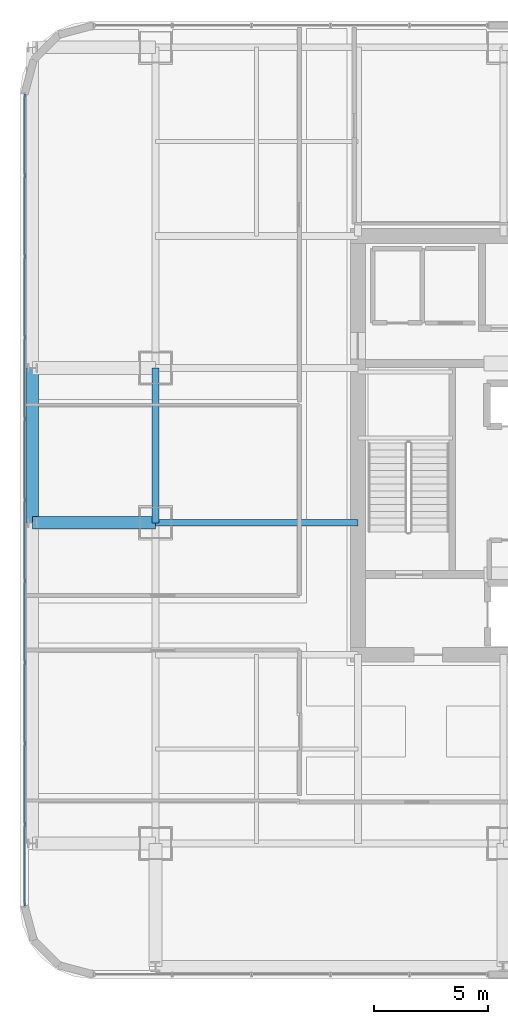
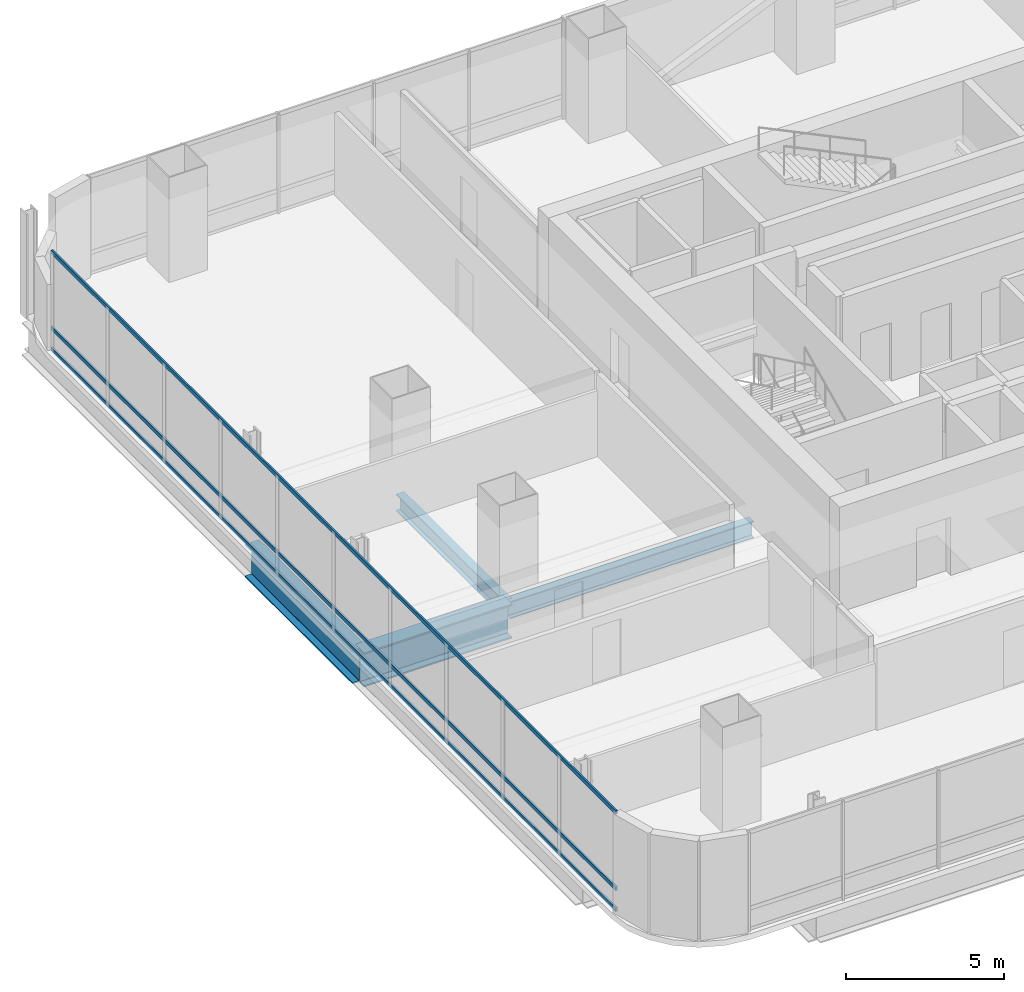
# One storey, part 9 of 38: 4 beams, 3 members, 1 element without a shape of its own.
"""IFC4 building model written with IfcOpenShell, lengths in metres."""

import ifcopenshell
import ifcopenshell.guid

model = None  # the IFC model being written
_history = None  # IfcOwnerHistory: only IFC2X3 demands one
_inside = {}  # id of a spatial element -> (the spatial element, [elements in it])
_under = {}  # id of a project, library or spatial element -> (it, [spatial elements below it])
_declared = {}  # id of a project -> (the project, [libraries it declares])
_typed = {}  # id of a type object -> (the type object, [elements of that type])
_made_of = {}  # id of a material, layer set ... -> (it, [elements and type objects made of it])


def new_model(schema):
    """Start an empty IFC model of exactly this schema.

    Asked for "IFC4X3", IfcOpenShell would pick the latest addendum, in which some entities
    have other attributes; the version numbers below select the first issue.
    IFC2X3 requires an IfcOwnerHistory on every rooted entity: one is made here for all.
    """
    global model, _history
    if schema == "IFC4X3":
        model = ifcopenshell.file(schema_version=(4, 3, 0, 0))
    else:
        model = ifcopenshell.file(schema=schema)
    _inside.clear()
    _under.clear()
    _declared.clear()
    _typed.clear()
    _made_of.clear()
    _history = None
    if model.schema == "IFC2X3":
        org = make("IfcOrganization", Name="unknown")
        user = make(
            "IfcPersonAndOrganization",
            ThePerson=make("IfcPerson", FamilyName="unknown"),
            TheOrganization=org,
        )
        app = make(
            "IfcApplication",
            ApplicationDeveloper=org,
            Version="unknown",
            ApplicationFullName="unknown",
            ApplicationIdentifier="unknown",
        )
        _history = make(
            "IfcOwnerHistory",
            OwningUser=user,
            OwningApplication=app,
            ChangeAction="ADDED",
            CreationDate=0,
        )
    return model


def make(cls, **values):
    """One entity of the class cls with the attributes given. An attribute that is None is left unset."""
    return model.create_entity(
        cls, **{name: value for name, value in values.items() if value is not None}
    )


def rooted(cls, **values):
    """An entity with a GlobalId (a new one), such as an element, a storey or a relation."""
    return make(cls, GlobalId=ifcopenshell.guid.new(), OwnerHistory=_history, **values)


def si_unit(unit_type, name, prefix=None):
    """IfcSIUnit, for example si_unit("LENGTHUNIT", "METRE", prefix="MILLI")."""
    return make("IfcSIUnit", UnitType=unit_type, Prefix=prefix, Name=name)


def assignment(units):
    """IfcUnitAssignment: the units of a project."""
    return None if units is None else make("IfcUnitAssignment", Units=units)


def point(xyz):
    """IfcCartesianPoint."""
    return None if xyz is None else make("IfcCartesianPoint", Coordinates=xyz)


def direction(xyz):
    """IfcDirection."""
    return None if xyz is None else make("IfcDirection", DirectionRatios=xyz)


def frame(location, z_axis=None, x_axis=None):
    """IfcAxis2Placement3D, a coordinate frame: its origin and axes. An axis left out is left unset."""
    return make(
        "IfcAxis2Placement3D",
        Location=point(location),
        Axis=direction(z_axis),
        RefDirection=direction(x_axis),
    )


def frame_2d(location, x_axis=None):
    """IfcAxis2Placement2D, a coordinate frame in the plane: its origin and x axis."""
    return make(
        "IfcAxis2Placement2D", Location=point(location), RefDirection=direction(x_axis)
    )


def origin():
    """The frame at (0, 0, 0) with its axes left unset."""
    return frame((0.0, 0.0, 0.0))


def origin_2d():
    """The frame at (0, 0) in the plane with its x axis left unset."""
    return frame_2d((0.0, 0.0))


def place(relative_to, where):
    """IfcLocalPlacement: puts the frame where relative to a parent placement (None: the world)."""
    return make(
        "IfcLocalPlacement", PlacementRelTo=relative_to, RelativePlacement=where
    )


def context(
    kind, dimensions, precision=None, world=None, true_north=None, identifier=None
):
    """IfcGeometricRepresentationContext, for example the 3D "Model" context."""
    return make(
        "IfcGeometricRepresentationContext",
        ContextIdentifier=identifier,
        ContextType=kind,
        CoordinateSpaceDimension=dimensions,
        Precision=precision,
        WorldCoordinateSystem=world,
        TrueNorth=true_north,
    )


def subcontext(parent, identifier, kind, view, scale=None):
    """IfcGeometricRepresentationSubContext, for example "Body" below "Model"."""
    return make(
        "IfcGeometricRepresentationSubContext",
        ContextIdentifier=identifier,
        ContextType=kind,
        ParentContext=parent,
        TargetScale=scale,
        TargetView=view,
    )


def project(units=None, contexts=None):
    """IfcProject with its units and contexts."""
    return rooted(
        "IfcProject",
        Name="project",
        RepresentationContexts=contexts,
        UnitsInContext=assignment(units),
    )


def spatial(cls, under=None, at=None, **own):
    """A site, building, storey or space (cls), placed at a placement, below another one or the project."""
    s = rooted(cls, ObjectPlacement=at, **own)
    if under is not None:
        _under.setdefault(under.id(), (under, []))[1].append(s)
    return s


def profile(cls, at=None, kind="AREA", **sizes):
    """A parametric profile (cls). Its sizes go by their IFC names, for example OverallWidth=200.0."""
    return make(cls, ProfileType=kind, Position=at, **sizes)


def hollow_rectangle(**sizes):
    """IfcRectangleHollowProfileDef."""
    return profile("IfcRectangleHollowProfileDef", **sizes)


def i_section(**sizes):
    """IfcIShapeProfileDef."""
    return profile("IfcIShapeProfileDef", **sizes)


def extrude(swept, where, along, depth):
    """IfcExtrudedAreaSolid: the profile swept, set in the frame where, extruded along a direction by depth."""
    return make(
        "IfcExtrudedAreaSolid",
        SweptArea=swept,
        Position=where,
        ExtrudedDirection=direction(along),
        Depth=depth,
    )


def shape(context_of_items, identifier, shape_type, items):
    """IfcShapeRepresentation: the items that make up one representation, for example the "Body"."""
    return make(
        "IfcShapeRepresentation",
        ContextOfItems=context_of_items,
        RepresentationIdentifier=identifier,
        RepresentationType=shape_type,
        Items=items,
    )


def material(Name=None, Category=None):
    """IfcMaterial."""
    return make("IfcMaterial", Name=Name, Category=Category)


def material_profile(
    of_material, cross_section, Name=None, Category=None, Priority=None
):
    """IfcMaterialProfile: a cross section and its material."""
    return make(
        "IfcMaterialProfile",
        Name=Name,
        Material=of_material,
        Profile=cross_section,
        Priority=Priority,
        Category=Category,
    )


def profile_set(profiles, Name=None, composite=None):
    """IfcMaterialProfileSet."""
    return make(
        "IfcMaterialProfileSet",
        Name=Name,
        MaterialProfiles=profiles,
        CompositeProfile=composite,
    )


def made_of(thing, what):
    """Note that an element or type object is made of a material, layer set ...; save() writes the relation."""
    if what is not None:
        _made_of.setdefault(what.id(), (what, []))[1].append(thing)
    return thing


def type_object(cls, material=None, **own):
    """A type object (cls), such as IfcWallType, which elements share."""
    return made_of(rooted(cls, **own), material)


def element(
    cls,
    number,
    at=None,
    inside=None,
    cuts=None,
    type_object=None,
    material=None,
    context=None,
    identifier="Body",
    shape_type=None,
    held_by="IfcProductDefinitionShape",
    body=None,
    shapes=None,
    **own,
):
    """One element of the class cls, such as IfcWall. Its Tag is "e" and its number.

    at: its placement. inside: the storey or other place that contains it. cuts: it is an
    opening in that element (IfcRelVoidsElement). A single representation is given by context,
    identifier, shape_type and body (its items); several are given by shapes. held_by: the class
    of the entity that holds the representations. save() writes the other relations.
    """
    e = rooted(cls, Tag="e%d" % number, ObjectPlacement=at, **own)
    if body is not None:
        shapes = [shape(context, identifier, shape_type, body)]
    if shapes is not None:
        e.Representation = make(held_by, Representations=shapes)
    if inside is not None:
        _inside.setdefault(inside.id(), (inside, []))[1].append(e)
    if cuts is not None:
        rooted(
            "IfcRelVoidsElement", RelatingBuildingElement=cuts, RelatedOpeningElement=e
        )
    if type_object is not None:
        _typed.setdefault(type_object.id(), (type_object, []))[1].append(e)
    return made_of(e, material)


def aggregate(whole, parts):
    """IfcRelAggregates: a whole, such as a stair, and the parts it consists of."""
    return rooted("IfcRelAggregates", RelatingObject=whole, RelatedObjects=parts)


def save(model, path):
    """Write the relations noted so far, then the file.

    IfcRelAggregates (storeys below a building ...), IfcRelContainedInSpatialStructure (elements
    in a storey), IfcRelDefinesByType, IfcRelAssociatesMaterial and IfcRelDeclares: one each for
    every whole, place, type object, material and project.
    """
    for whole, parts in _under.values():
        aggregate(whole, parts)
    for where, things in _inside.values():
        rooted(
            "IfcRelContainedInSpatialStructure",
            RelatedElements=things,
            RelatingStructure=where,
        )
    for kind, things in _typed.values():
        rooted("IfcRelDefinesByType", RelatedObjects=things, RelatingType=kind)
    for what, things in _made_of.values():
        rooted("IfcRelAssociatesMaterial", RelatedObjects=things, RelatingMaterial=what)
    for by, libraries in _declared.values():
        rooted("IfcRelDeclares", RelatingContext=by, RelatedDefinitions=libraries)
    model.write(path)


model = new_model("IFC4")

# Units and contexts
model_context = context("Model", 3, precision=1e-05, world=origin(), true_north=direction((0.0, 1.0)))
body_context = subcontext(model_context, "Body", "Model", "MODEL_VIEW")
ifc_project = project(units=[si_unit("LENGTHUNIT", "METRE"), si_unit("AREAUNIT", "SQUARE_METRE"), si_unit("VOLUMEUNIT", "CUBIC_METRE"), si_unit("PLANEANGLEUNIT", "RADIAN"), si_unit("MASSUNIT", "GRAM", prefix="KILO")], contexts=[model_context])

# Site, building, storey
site_placement = place(None, origin())
site = spatial("IfcSite", under=ifc_project, at=site_placement, CompositionType="ELEMENT")
building_placement = place(site_placement, origin())
building = spatial("IfcBuilding", under=site, at=building_placement, Name="Punatoya Terracotta Tower", CompositionType="ELEMENT")
storey_placement = place(building_placement, frame((0.0, 0.0, 188.39990234375)))
storey = spatial("IfcBuildingStorey", under=building, at=storey_placement, Name="L44", CompositionType="ELEMENT", Elevation=188.39990234375)

# Beams
ifc_material_1 = material(Name="Steel S355", Category="steel")
ifc_material_profile_1 = material_profile(ifc_material_1, i_section(OverallWidth=0.300048828125, OverallDepth=0.64990234375, WebThickness=0.01611328125, FlangeThickness=0.031005859375, FilletRadius=0.01806640625, at=origin_2d()))
ifc_profile_set_1 = profile_set([ifc_material_profile_1], Name="Steel S355")
beam_type_1 = type_object("IfcBeamType", Name="BM-PRI-650", PredefinedType="BEAM", material=ifc_profile_set_1)
beam_1_placement = place(storey_placement, frame((-19.10009765625, -3.39990234375, -0.544921875), z_axis=(0.0, 1.0, 0.0), x_axis=(-1.0, 0.0, 0.0)))
element("IfcBeam", 1, at=beam_1_placement, inside=storey, type_object=beam_type_1, Name="BM-L44-RG-W2", PredefinedType="BEAM", context=body_context, shape_type="SweptSolid", body=[
    extrude(i_section(OverallWidth=0.300048828125, OverallDepth=0.64990234375, WebThickness=0.01611328125, FlangeThickness=0.031005859375, FilletRadius=0.01806640625, at=origin_2d()), origin(), (0.0, 0.0, 1.0), 6.7998046875),
])
beam_2_placement = place(storey_placement, frame((-19.10009765625, -3.39990234375, -0.544921875), z_axis=(1.0, 0.0, 0.0), x_axis=(0.0, 1.0, 0.0)))
element("IfcBeam", 2, at=beam_2_placement, inside=storey, type_object=beam_type_1, Name="BM-L44-PR-WD", PredefinedType="BEAM", context=body_context, shape_type="SweptSolid", body=[
    extrude(i_section(OverallWidth=0.300048828125, OverallDepth=0.64990234375, WebThickness=0.01611328125, FlangeThickness=0.031005859375, FilletRadius=0.01806640625, at=origin_2d()), origin(), (0.0, 0.0, 1.0), 8.900146484375),
])
ifc_material_2 = material(Name="Steel S460", Category="steel")
ifc_material_profile_2 = material_profile(ifc_material_2, i_section(OverallWidth=0.56005859375, OverallDepth=1.320068359375, WebThickness=0.035888671875, FlangeThickness=0.054931640625, FilletRadius=0.01806640625, at=origin_2d()))
ifc_profile_set_2 = profile_set([ifc_material_profile_2], Name="Steel S460")
beam_type_2 = type_object("IfcBeamType", Name="BM-TG-BLK", PredefinedType="BEAM", material=ifc_profile_set_2)
beam_3_placement = place(storey_placement, frame((-24.5, -3.39990234375, -0.8798828125), z_axis=(1.0, 0.0, 0.0), x_axis=(0.0, 1.0, 0.0)))
element("IfcBeam", 3, at=beam_3_placement, inside=storey, type_object=beam_type_2, Name="BM-L44-CANT-W2", PredefinedType="BEAM", context=body_context, shape_type="SweptSolid", body=[
    extrude(i_section(OverallWidth=0.56005859375, OverallDepth=1.320068359375, WebThickness=0.035888671875, FlangeThickness=0.054931640625, FilletRadius=0.01806640625, at=origin_2d()), origin(), (0.0, 0.0, 1.0), 5.39990234375),
])
ifc_material_profile_3 = material_profile(ifc_material_2, i_section(OverallWidth=0.52001953125, OverallDepth=1.280029296875, WebThickness=0.031982421875, FlangeThickness=0.050048828125, FilletRadius=0.01806640625, at=origin_2d()))
ifc_profile_set_3 = profile_set([ifc_material_profile_3], Name="Steel S460")
beam_type_3 = type_object("IfcBeamType", Name="BM-TG-NCK", PredefinedType="BEAM", material=ifc_profile_set_3)
beam_4_placement = place(storey_placement, frame((-24.5, -3.39990234375, -0.85986328125), z_axis=(0.0, 1.0, 0.0), x_axis=(-1.0, 0.0, 0.0)))
element("IfcBeam", 4, at=beam_4_placement, inside=storey, type_object=beam_type_3, Name="BM-L44-PER-W2", PredefinedType="BEAM", context=body_context, shape_type="SweptSolid", body=[
    extrude(i_section(OverallWidth=0.52001953125, OverallDepth=1.280029296875, WebThickness=0.031982421875, FlangeThickness=0.050048828125, FilletRadius=0.01806640625, at=origin_2d()), origin(), (0.0, 0.0, 1.0), 6.7998046875),
])

# Curtain wall, members
ifc_material_3 = material(Name="Aluminium 6063-T6 + Double Low-E Glass", Category="aluminium")
curtain_wall_type = type_object("IfcCurtainWallType", Name="CW-M2", PredefinedType="NOTDEFINED", material=ifc_material_3)
curtain_wall_placement = place(storey_placement, origin())
curtain_wall = element("IfcCurtainWall", 5, at=curtain_wall_placement, inside=storey, type_object=curtain_wall_type, Name="L44 Curtain Wall CW-L44-W13-1", PredefinedType="NOTDEFINED")
ifc_material_4 = material(Name="Aluminium 6063-T6", Category="aluminium")
ifc_material_profile_4 = material_profile(ifc_material_4, hollow_rectangle(XDim=0.068115234375, YDim=0.14990234375, WallThickness=0.00390625, at=origin_2d()))
ifc_profile_set_4 = profile_set([ifc_material_profile_4], Name="Aluminium 6063-T6")
member_type = type_object("IfcMemberType", Name="CW-TRN-TYP", PredefinedType="USERDEFINED", material=ifc_profile_set_4)
member_1_placement = place(storey_placement, frame((-24.85009765625, 15.43701171875, 0.0400390625), z_axis=(0.0, -1.0, 0.0), x_axis=(1.0, 0.0, 0.0)))
member_1 = element("IfcMember", 6, at=member_1_placement, type_object=member_type, Name="CW-L44-W13-1 Transom 1", ObjectType="TRANSOM", PredefinedType="USERDEFINED", context=body_context, shape_type="SweptSolid", body=[
    extrude(hollow_rectangle(XDim=0.068115234375, YDim=0.14990234375, WallThickness=0.00390625, at=origin_2d()), origin(), (0.0, 0.0, 1.0), 35.673828125),
])
member_2_placement = place(storey_placement, frame((-24.85009765625, 15.43701171875, 0.85009765625), z_axis=(0.0, -1.0, 0.0), x_axis=(1.0, 0.0, 0.0)))
member_2 = element("IfcMember", 7, at=member_2_placement, type_object=member_type, Name="CW-L44-W13-1 Transom 2", ObjectType="TRANSOM", PredefinedType="USERDEFINED", context=body_context, shape_type="SweptSolid", body=[
    extrude(hollow_rectangle(XDim=0.068115234375, YDim=0.14990234375, WallThickness=0.00390625, at=origin_2d()), origin(), (0.0, 0.0, 1.0), 35.673828125),
])
member_3_placement = place(storey_placement, frame((-24.85009765625, 15.43701171875, 3.7900390625), z_axis=(0.0, -1.0, 0.0), x_axis=(1.0, 0.0, 0.0)))
member_3 = element("IfcMember", 8, at=member_3_placement, type_object=member_type, Name="CW-L44-W13-1 Transom 3", ObjectType="TRANSOM", PredefinedType="USERDEFINED", context=body_context, shape_type="SweptSolid", body=[
    extrude(hollow_rectangle(XDim=0.068115234375, YDim=0.14990234375, WallThickness=0.00390625, at=origin_2d()), origin(), (0.0, 0.0, 1.0), 35.673828125),
])
aggregate(curtain_wall, [member_1, member_2, member_3])

save(model, "model.ifc")
